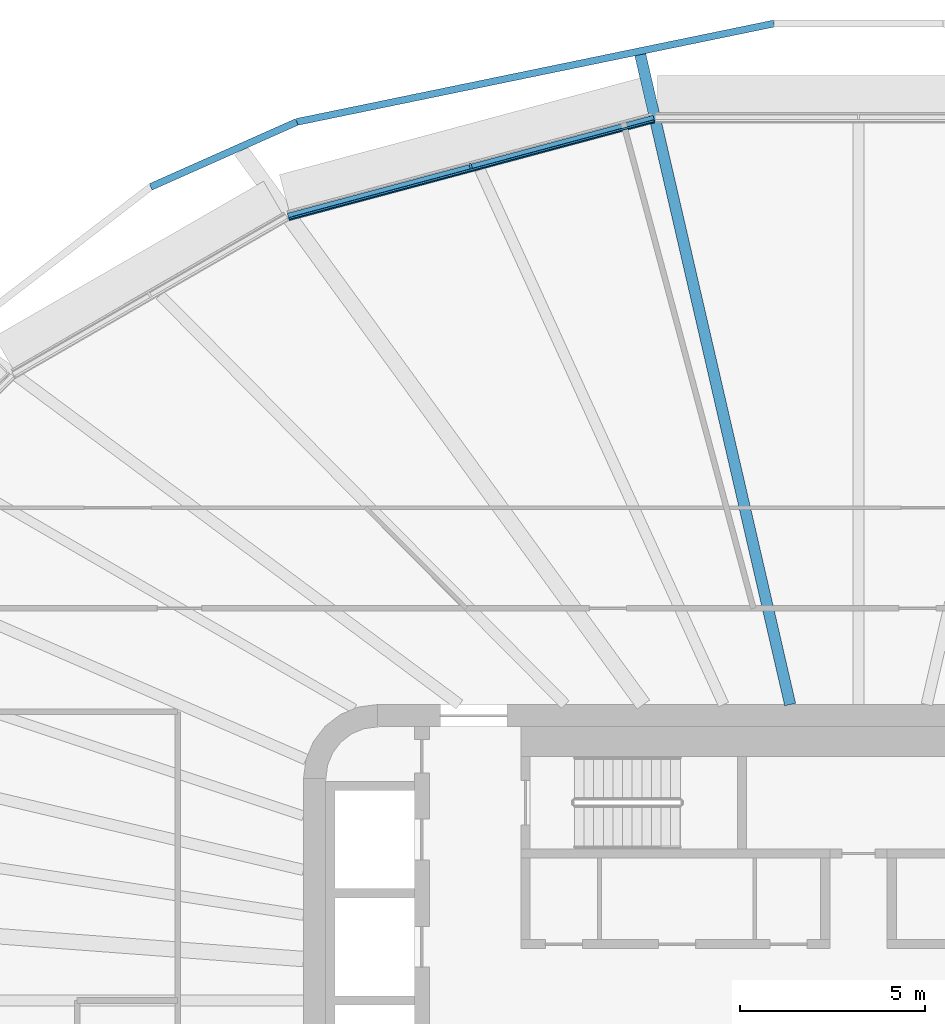
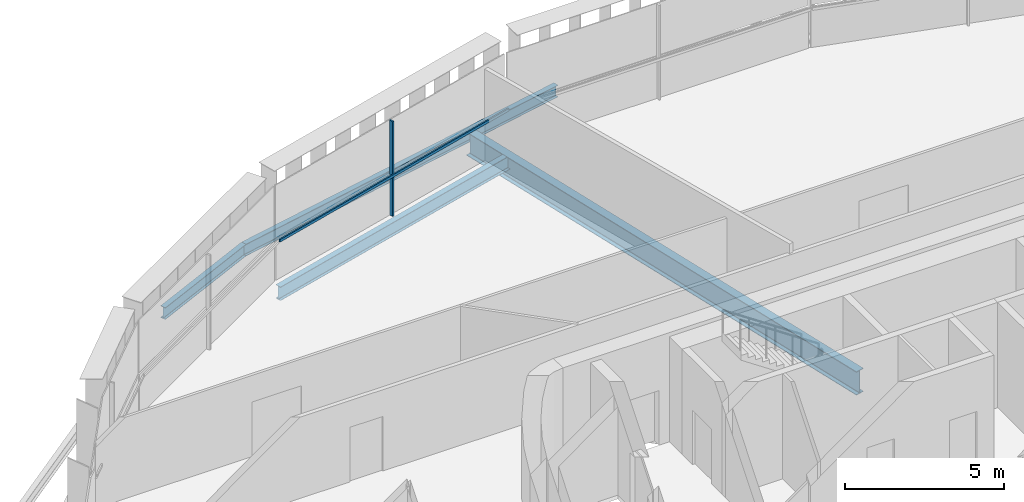
# One storey, part 8 of 25: 4 beams, 2 members, 1 element without a shape of its own.
"""IFC4 building model written with IfcOpenShell, lengths in metres."""

from ifc_helpers import new_model, si_unit, direction, frame, origin, origin_2d, place, context, subcontext, project, spatial, rectangle, i_section, extrude, material, layer, layer_set, material_profile, profile_set, type_object, element, aggregate, save


model = new_model("IFC4")

# Units and contexts
model_context = context("Model", 3, precision=1e-05, world=origin(), true_north=direction((0.0, 1.0)))
body_context = subcontext(model_context, "Body", "Model", "MODEL_VIEW")
ifc_project = project(units=[si_unit("LENGTHUNIT", "METRE"), si_unit("AREAUNIT", "SQUARE_METRE"), si_unit("VOLUMEUNIT", "CUBIC_METRE"), si_unit("PLANEANGLEUNIT", "RADIAN"), si_unit("MASSUNIT", "GRAM", prefix="KILO")], contexts=[model_context])

# Site, building, storey
site_placement = place(None, origin())
site = spatial("IfcSite", under=ifc_project, at=site_placement, CompositionType="ELEMENT")
building_placement = place(site_placement, origin())
building = spatial("IfcBuilding", under=site, at=building_placement, Name="Sahrelin Media Tower", CompositionType="ELEMENT")
storey_placement = place(building_placement, frame((0.0, 0.0, 110.39990234375)))
storey = spatial("IfcBuildingStorey", under=building, at=storey_placement, Name="L21", CompositionType="ELEMENT", Elevation=110.39990234375)

# Beam
ifc_material_1 = material(Name="Steel S355", Category="steel")
ifc_material_profile_1 = material_profile(ifc_material_1, i_section(OverallWidth=0.208740234375, OverallDepth=0.5283203125, WebThickness=0.009521484375, FlangeThickness=0.01318359375, FilletRadius=0.0126953125, at=origin_2d()), Name="UB 533x210x82")
ifc_profile_set_1 = profile_set([ifc_material_profile_1], Name="Steel S355")
beam_type_1 = type_object("IfcBeamType", Name="Edge beam EB6", PredefinedType="BEAM", material=ifc_profile_set_1)
beam_1_placement = place(storey_placement, frame((-15.41162109375, 21.17431640625, -0.4140625), z_axis=(0.965929419345, 0.258805635261, 0.0), x_axis=(-0.258805635261, 0.965929419345, 0.0)))
element("IfcBeam", 1, at=beam_1_placement, inside=storey, type_object=beam_type_1, Name="Edge beam L21-18", PredefinedType="BEAM", context=body_context, shape_type="SweptSolid", body=[
    extrude(i_section(OverallWidth=0.208740234375, OverallDepth=0.5283203125, WebThickness=0.009521484375, FlangeThickness=0.01318359375, FilletRadius=0.0126953125, at=origin_2d()), origin(), (0.0, 0.0, 1.0), 10.235107421875),
])

# Curtain wall, member
ifc_material_2 = material(Name="Champagne anodised aluminium 6063-T6", Category="aluminium")
ifc_layer = layer(ifc_material_2, 0.14990234375)
ifc_layer_set = layer_set([ifc_layer], Name="Tower ribbon curtain wall")
curtain_wall_type = type_object("IfcCurtainWallType", Name="Tower ribbon curtain wall", PredefinedType="NOTDEFINED", material=ifc_layer_set)
curtain_wall_placement = place(storey_placement, frame((-10.50732421875, 22.643798828125, 0.0), z_axis=(0.0, 0.0, 1.0), x_axis=(1.0, 0.0, 0.0)))
curtain_wall = element("IfcCurtainWall", 2, at=curtain_wall_placement, inside=storey, type_object=curtain_wall_type, Name="L21:CW:L21-07", PredefinedType="NOTDEFINED")
ifc_material_profile_2 = material_profile(ifc_material_2, rectangle(XDim=0.06005859375, YDim=0.14990234375, at=origin_2d()), Name="Mullion 60x150")
ifc_profile_set_2 = profile_set([ifc_material_profile_2], Name="Champagne anodised aluminium 6063-T6")
member_type_1 = type_object("IfcMemberType", Name="Mullion 60x150 CW1", PredefinedType="MULLION", material=ifc_profile_set_2)
member_1_placement = place(storey_placement, frame((-10.482666015625, 22.552001953125, 0.0), z_axis=(0.0, 0.0, 1.0), x_axis=(-0.965926278012, -0.258817359244, 0.0)))
member_1 = element("IfcMember", 3, at=member_1_placement, type_object=member_type_1, Name="L21:CWM:L21-07", PredefinedType="MULLION", context=body_context, shape_type="SweptSolid", body=[
    extrude(rectangle(XDim=0.06005859375, YDim=0.14990234375, at=origin_2d()), origin(), (0.0, 0.0, 1.0), 3.648681640625),
])

# Beams
ifc_material_profile_3 = material_profile(ifc_material_1, i_section(OverallWidth=0.30322265625, OverallDepth=0.903076171875, WebThickness=0.01513671875, FlangeThickness=0.020263671875, FilletRadius=0.01904296875, at=origin_2d()), Name="UB 914x305x201")
ifc_profile_set_3 = profile_set([ifc_material_profile_3], Name="Steel S355")
beam_type_2 = type_object("IfcBeamType", Name="Radial primary beam PB11", PredefinedType="BEAM", material=ifc_profile_set_3)
beam_2_placement = place(storey_placement, frame((-1.845458984375, 8.0, -0.601318359375), z_axis=(-0.224769488675, 0.974411964705, 0.0), x_axis=(-0.974411964705, -0.224769488675, 0.0)))
element("IfcBeam", 4, at=beam_2_placement, inside=storey, type_object=beam_type_2, Name="Radial beam L21-07", PredefinedType="BEAM", context=body_context, shape_type="SweptSolid", body=[
    extrude(i_section(OverallWidth=0.30322265625, OverallDepth=0.903076171875, WebThickness=0.01513671875, FlangeThickness=0.020263671875, FilletRadius=0.01904296875, at=origin_2d()), origin(), (0.0, 0.0, 1.0), 18.025146484375),
])
ifc_material_profile_4 = material_profile(ifc_material_1, i_section(OverallWidth=0.1904296875, OverallDepth=0.45703125, WebThickness=0.009033203125, FlangeThickness=0.014404296875, FilletRadius=0.01025390625, at=origin_2d()), Name="UB 457x191x74")
ifc_profile_set_4 = profile_set([ifc_material_profile_4], Name="Steel S355")
beam_type_3 = type_object("IfcBeamType", Name="Tie chord TC5", PredefinedType="BEAM", material=ifc_profile_set_4)
beam_3_placement = place(storey_placement, frame((-2.281005859375, 26.40673828125, -0.37841796875), z_axis=(-0.979388707477, -0.201984553039, 0.0), x_axis=(0.201984553039, -0.979388707477, 0.0)))
element("IfcBeam", 5, at=beam_3_placement, inside=storey, type_object=beam_type_3, Name="Tie chord L21-07", PredefinedType="BEAM", context=body_context, shape_type="SweptSolid", body=[
    extrude(i_section(OverallWidth=0.1904296875, OverallDepth=0.45703125, WebThickness=0.009033203125, FlangeThickness=0.014404296875, FilletRadius=0.01025390625, at=origin_2d()), origin(), (0.0, 0.0, 1.0), 13.1689453125),
])
beam_4_placement = place(storey_placement, frame((-15.178466796875, 23.746826171875, -0.37841796875), z_axis=(-0.913841818255, -0.406070352535, 0.0), x_axis=(0.406070352535, -0.913841818255, 0.0)))
element("IfcBeam", 6, at=beam_4_placement, inside=storey, type_object=beam_type_3, Name="Tie chord L21-08", PredefinedType="BEAM", context=body_context, shape_type="SweptSolid", body=[
    extrude(i_section(OverallWidth=0.1904296875, OverallDepth=0.45703125, WebThickness=0.009033203125, FlangeThickness=0.014404296875, FilletRadius=0.01025390625, at=origin_2d()), origin(), (0.0, 0.0, 1.0), 4.323486328125),
])

# Member
ifc_material_profile_5 = material_profile(ifc_material_2, rectangle(XDim=0.050048828125, YDim=0.10009765625, at=origin_2d()), Name="Transom 50x100")
ifc_profile_set_5 = profile_set([ifc_material_profile_5], Name="Champagne anodised aluminium 6063-T6")
member_type_2 = type_object("IfcMemberType", Name="Transom 50x100 CW1", PredefinedType="USERDEFINED", material=ifc_profile_set_5)
member_2_placement = place(storey_placement, frame((-5.52880859375, 23.77587890625, 1.60009765625), z_axis=(-0.965926477685, -0.258816614048, 0.0), x_axis=(0.258816614048, -0.965926477685, 0.0)))
member_2 = element("IfcMember", 7, at=member_2_placement, type_object=member_type_2, Name="L21:CWT:L21-07", ObjectType="TRANSOM", PredefinedType="USERDEFINED", context=body_context, shape_type="SweptSolid", body=[
    extrude(rectangle(XDim=0.050048828125, YDim=0.10009765625, at=origin_2d()), origin(), (0.0, 0.0, 1.0), 10.20361328125),
])

aggregate(curtain_wall, [member_1, member_2])

save(model, "model.ifc")
